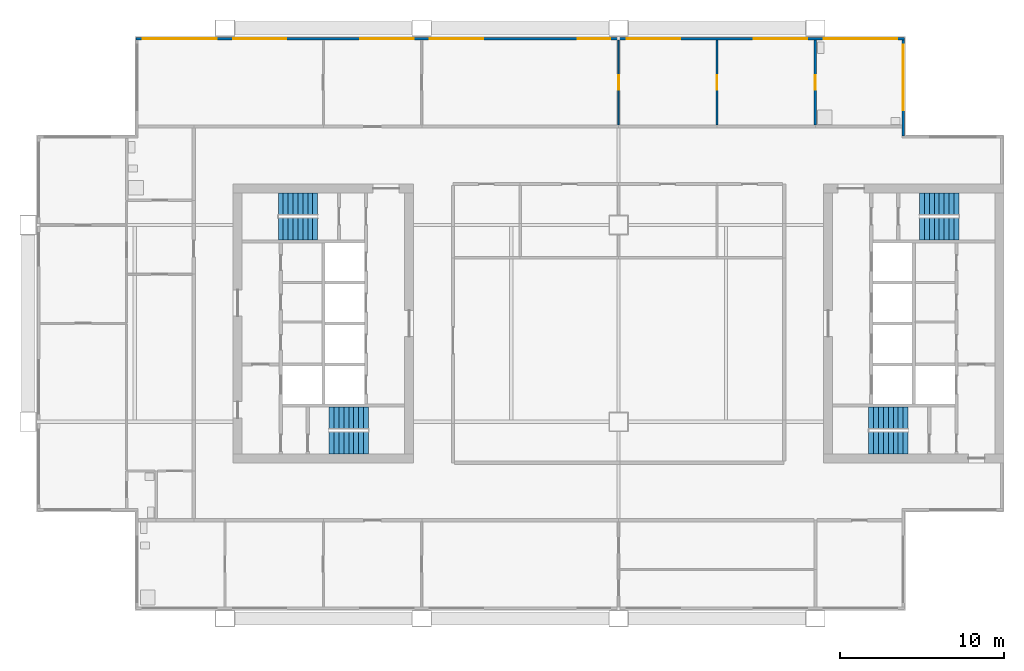
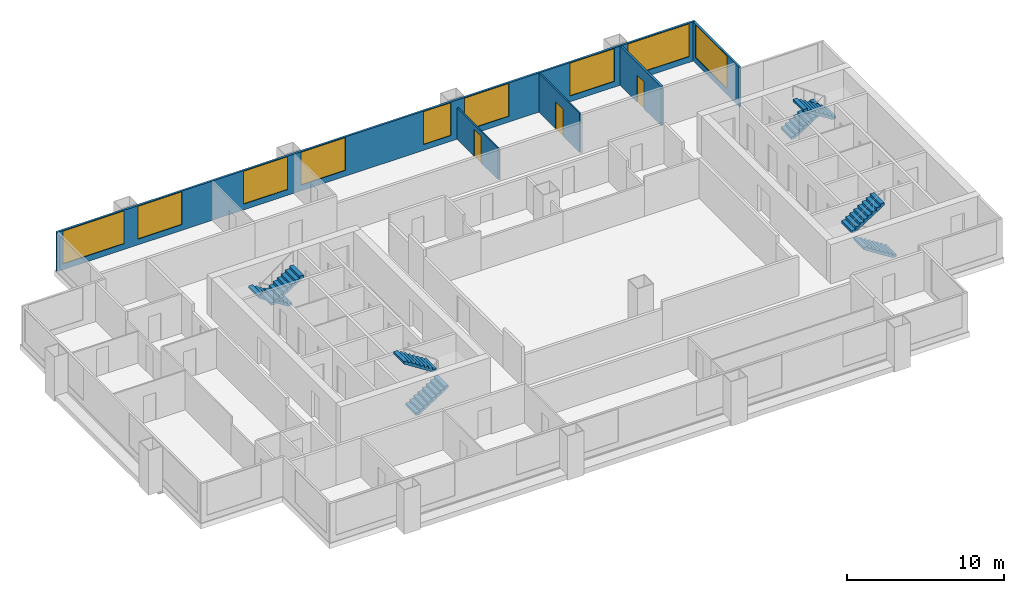
# One storey, part 6 of 8: 9 windows, 8 stair flights, 5 walls, 3 doors, 12 openings, 4 elements without a shape of their own.
"""IFC4 building model written with IfcOpenShell, lengths in metres."""

from ifc_helpers import new_model, si_unit, direction, frame, frame_2d, origin, place, context, subcontext, project, spatial, polyline, rectangle, outline, extrude, material, layer, layer_set, type_object, element, fill, aggregate, save


model = new_model("IFC4")

# Units and contexts
model_context = context("Model", 3, precision=1e-05, world=origin(), true_north=direction((0.0, 1.0)))
body_context = subcontext(model_context, "Body", "Model", "MODEL_VIEW")
ifc_project = project(units=[si_unit("LENGTHUNIT", "METRE"), si_unit("AREAUNIT", "SQUARE_METRE"), si_unit("VOLUMEUNIT", "CUBIC_METRE"), si_unit("PLANEANGLEUNIT", "RADIAN"), si_unit("MASSUNIT", "GRAM", prefix="KILO")], contexts=[model_context])

# Site, building, storey
site_placement = place(None, origin())
site = spatial("IfcSite", under=ifc_project, at=site_placement, CompositionType="ELEMENT")
building_placement = place(site_placement, origin())
building = spatial("IfcBuilding", under=site, at=building_placement, Name="Kitamizu Gate Tower and Museum", CompositionType="ELEMENT")
storey_placement = place(building_placement, frame((0.0, 0.0, 199.64990234375)))
storey = spatial("IfcBuildingStorey", under=building, at=storey_placement, Name="L53", CompositionType="ELEMENT", Elevation=199.64990234375)

# Wall, opening, door
ifc_material_1 = material(Name="Gypsum board on galvanised stud")
ifc_layer_1 = layer(ifc_material_1, 0.10009765625)
ifc_layer_set_1 = layer_set([ifc_layer_1], Name="Gypsum board on galvanised stud")
wall_type_1 = type_object("IfcWallType", Name="Partition 100 NOT RATED", PredefinedType="PARTITIONING", material=ifc_layer_set_1)
wall_1_placement = place(storey_placement, frame((36.0, 42.10009765625, 0.0), z_axis=(0.0, 0.0, 1.0), x_axis=(0.0, 1.0, 0.0)))
wall_1 = element("IfcWall", 1, at=wall_1_placement, inside=storey, type_object=wall_type_1, Name="Partition L53-022", PredefinedType="PARTITIONING", context=body_context, shape_type="SweptSolid", body=[
    extrude(rectangle(XDim=5.179931640625, YDim=0.10009765625, at=frame_2d((2.58984375, 0.0))), origin(), (0.0, 0.0, 1.0), 2.4501953125),
])
opening_1_placement = place(wall_1_placement, frame((2.139892578125, 0.0, 0.0)))
opening_1 = element("IfcOpeningElement", 2, at=opening_1_placement, cuts=wall_1, Name="Opening L53-009", PredefinedType="OPENING", context=body_context, shape_type="SweptSolid", body=[
    extrude(rectangle(XDim=0.89990234375, YDim=2.10009765625, at=frame_2d((0.449951171875, 1.050048828125))), frame((0.0, 0.06005859375, 0.0), z_axis=(0.0, -1.0, 0.0), x_axis=(1.0, 0.0, 0.0)), (0.0, 0.0, 1.0), 0.1201171875),
])
ifc_material_2 = material(Name="Timber door set", Category="wood")
door_type_1 = type_object("IfcDoorType", Name="Room door 900", OperationType="NOTDEFINED", PredefinedType="DOOR", material=ifc_material_2)
door_1_placement = place(opening_1_placement, frame((0.89990234375, 0.0, 0.0), x_axis=(-1.0, 0.0, 0.0)))
door_1 = element("IfcDoor", 3, at=door_1_placement, inside=storey, type_object=door_type_1, Name="Door L53-009", OperationType="SINGLE_SWING_LEFT", OverallHeight=2.10009765625, OverallWidth=0.89990234375, PredefinedType="DOOR", context=body_context, shape_type="SweptSolid", body=[
    extrude(rectangle(XDim=0.89990234375, YDim=2.10009765625, at=frame_2d((0.449951171875, 1.050048828125))), frame((0.0, 0.02490234375, 0.0), z_axis=(0.0, -1.0, 0.0), x_axis=(1.0, 0.0, 0.0)), (0.0, 0.0, 1.0), 0.050048828125),
])
fill(opening_1, door_1)

wall_2_placement = place(storey_placement, frame((42.0, 42.10009765625, 0.0), z_axis=(0.0, 0.0, 1.0), x_axis=(0.0, 1.0, 0.0)))
wall_2 = element("IfcWall", 4, at=wall_2_placement, inside=storey, type_object=wall_type_1, Name="Partition L53-024", PredefinedType="PARTITIONING", context=body_context, shape_type="SweptSolid", body=[
    extrude(rectangle(XDim=5.179931640625, YDim=0.10009765625, at=frame_2d((2.58984375, 0.0))), origin(), (0.0, 0.0, 1.0), 3.050048828125),
])
opening_2_placement = place(wall_2_placement, frame((2.139892578125, 0.0, 0.0)))
opening_2 = element("IfcOpeningElement", 5, at=opening_2_placement, cuts=wall_2, Name="Opening L53-011", PredefinedType="OPENING", context=body_context, shape_type="SweptSolid", body=[
    extrude(rectangle(XDim=0.89990234375, YDim=2.10009765625, at=frame_2d((0.449951171875, 1.050048828125))), frame((0.0, 0.06005859375, 0.0), z_axis=(0.0, -1.0, 0.0), x_axis=(1.0, 0.0, 0.0)), (0.0, 0.0, 1.0), 0.1201171875),
])
door_2_placement = place(opening_2_placement, origin())
door_2 = element("IfcDoor", 6, at=door_2_placement, inside=storey, type_object=door_type_1, Name="Door L53-011", OperationType="SINGLE_SWING_RIGHT", OverallHeight=2.10009765625, OverallWidth=0.89990234375, PredefinedType="DOOR", context=body_context, shape_type="SweptSolid", body=[
    extrude(rectangle(XDim=0.89990234375, YDim=2.10009765625, at=frame_2d((0.449951171875, 1.050048828125))), frame((0.0, 0.02490234375, 0.0), z_axis=(0.0, -1.0, 0.0), x_axis=(1.0, 0.0, 0.0)), (0.0, 0.0, 1.0), 0.050048828125),
])
fill(opening_2, door_2)

ifc_material_3 = material(Name="Gypsum board on galvanised stud")
ifc_layer_2 = layer(ifc_material_3, 0.14990234375)
ifc_layer_set_2 = layer_set([ifc_layer_2], Name="Gypsum board on galvanised stud")
wall_type_2 = type_object("IfcWallType", Name="Partition 150", PredefinedType="PARTITIONING", material=ifc_layer_set_2)
wall_3_placement = place(storey_placement, frame((48.0, 42.10009765625, 0.0), z_axis=(0.0, 0.0, 1.0), x_axis=(0.0, 1.0, 0.0)))
wall_3 = element("IfcWall", 7, at=wall_3_placement, inside=storey, type_object=wall_type_2, Name="Partition L53-026", PredefinedType="PARTITIONING", context=body_context, shape_type="SweptSolid", body=[
    extrude(rectangle(XDim=5.179931640625, YDim=0.14990234375, at=frame_2d((2.58984375, 0.0))), origin(), (0.0, 0.0, 1.0), 3.050048828125),
])
opening_3_placement = place(wall_3_placement, frame((2.139892578125, 0.0, 0.0)))
opening_3 = element("IfcOpeningElement", 8, at=opening_3_placement, cuts=wall_3, Name="Opening L53-012", PredefinedType="OPENING", context=body_context, shape_type="SweptSolid", body=[
    extrude(rectangle(XDim=0.89990234375, YDim=2.10009765625, at=frame_2d((0.449951171875, 1.050048828125))), frame((0.0, 0.0849609375, 0.0), z_axis=(0.0, -1.0, 0.0), x_axis=(1.0, 0.0, 0.0)), (0.0, 0.0, 1.0), 0.169921875),
])
ifc_material_4 = material(Name="Timber door set", Category="wood")
door_type_2 = type_object("IfcDoorType", Name="Bathroom door 900", OperationType="NOTDEFINED", PredefinedType="DOOR", material=ifc_material_4)
door_3_placement = place(opening_3_placement, frame((0.89990234375, 0.0, 0.0), x_axis=(-1.0, 0.0, 0.0)))
door_3 = element("IfcDoor", 9, at=door_3_placement, inside=storey, type_object=door_type_2, Name="Bathroom door L53-012", OperationType="SINGLE_SWING_RIGHT", OverallHeight=2.10009765625, OverallWidth=0.89990234375, PredefinedType="DOOR", context=body_context, shape_type="SweptSolid", body=[
    extrude(rectangle(XDim=0.89990234375, YDim=2.10009765625, at=frame_2d((0.449951171875, 1.050048828125))), frame((0.0, 0.02490234375, 0.0), z_axis=(0.0, -1.0, 0.0), x_axis=(1.0, 0.0, 0.0)), (0.0, 0.0, 1.0), 0.050048828125),
])
fill(opening_3, door_3)

# Wall, opening, window
ifc_material_5 = material(Name="Bronze anodised aluminium frame with insulated spandrel and tinted glass", Category="aluminium")
ifc_layer_3 = layer(ifc_material_5, 0.14990234375)
ifc_layer_set_3 = layer_set([ifc_layer_3], Name="Bronze anodised aluminium frame with insulated spandrel and tinted glass")
wall_type_3 = type_object("IfcWallType", Name="WINDOW WALL 150 BRONZE FRAME EI 30", PredefinedType="ELEMENTEDWALL", material=ifc_layer_set_3)
wall_4_placement = place(storey_placement, frame((53.364990234375, 41.43994140625, 0.0), z_axis=(0.0, 0.0, 1.0), x_axis=(0.0, 1.0, 0.0)))
wall_4 = element("IfcWall", 10, at=wall_4_placement, inside=storey, type_object=wall_type_3, Name="Window wall east L53", PredefinedType="ELEMENTEDWALL", context=body_context, shape_type="SweptSolid", body=[
    extrude(rectangle(XDim=5.85009765625, YDim=0.14990234375, at=frame_2d((2.925048828125, 0.0))), origin(), (0.0, 0.0, 1.0), 3.050048828125),
])
opening_4_placement = place(wall_4_placement, frame((1.56005859375, 0.0, 0.449951171875)))
opening_4 = element("IfcOpeningElement", 11, at=opening_4_placement, cuts=wall_4, Name="Opening W16", PredefinedType="OPENING", context=body_context, shape_type="SweptSolid", body=[
    extrude(rectangle(XDim=4.0, YDim=2.550048828125, at=frame_2d((2.0, 1.27490234375))), frame((0.0, 0.0849609375, 0.0), z_axis=(0.0, -1.0, 0.0), x_axis=(1.0, 0.0, 0.0)), (0.0, 0.0, 1.0), 0.169921875),
])
ifc_material_6 = material(Name="Bronze anodised aluminium frame, tinted triple glazing", Category="aluminium")
window_type_1 = type_object("IfcWindowType", Name="WINDOW 4000 x 2550 SILL 450", PartitioningType="SINGLE_PANEL", PredefinedType="WINDOW", material=ifc_material_6)
window_1_placement = place(opening_4_placement, origin())
window_1 = element("IfcWindow", 12, at=window_1_placement, inside=storey, type_object=window_type_1, Name="Window W16 L53", OverallHeight=2.550048828125, OverallWidth=4.0, PartitioningType="SINGLE_PANEL", PredefinedType="WINDOW", context=body_context, shape_type="SweptSolid", body=[
    extrude(rectangle(XDim=4.0, YDim=2.550048828125, at=frame_2d((2.0, 1.27490234375))), frame((0.0, 0.030029296875, 0.0), z_axis=(0.0, -1.0, 0.0), x_axis=(1.0, 0.0, 0.0)), (0.0, 0.0, 1.0), 0.06005859375),
])
fill(opening_4, window_1)

# Wall, openings, windows
wall_5_placement = place(storey_placement, frame((6.56005859375, 47.364990234375, 0.0), z_axis=(0.0, 0.0, 1.0), x_axis=(1.0, 0.0, 0.0)))
wall_5 = element("IfcWall", 13, at=wall_5_placement, inside=storey, type_object=wall_type_3, Name="Window wall north L53", PredefinedType="ELEMENTEDWALL", context=body_context, shape_type="SweptSolid", body=[
    extrude(rectangle(XDim=46.8798828125, YDim=0.14990234375, at=frame_2d((23.43994140625, 0.0))), origin(), (0.0, 0.0, 1.0), 3.050048828125),
])
opening_5_placement = place(wall_5_placement, frame((0.43994140625, 0.0, 0.449951171875)))
opening_5 = element("IfcOpeningElement", 14, at=opening_5_placement, cuts=wall_5, Name="Opening W15", PredefinedType="OPENING", context=body_context, shape_type="SweptSolid", body=[
    extrude(rectangle(XDim=4.5, YDim=2.550048828125, at=frame_2d((2.25, 1.27490234375))), frame((0.0, 0.0849609375, 0.0), z_axis=(0.0, -1.0, 0.0), x_axis=(1.0, 0.0, 0.0)), (0.0, 0.0, 1.0), 0.169921875),
])
opening_6_placement = place(wall_5_placement, frame((5.93994140625, 0.0, 0.449951171875)))
opening_6 = element("IfcOpeningElement", 15, at=opening_6_placement, cuts=wall_5, Name="Opening W34", PredefinedType="OPENING", context=body_context, shape_type="SweptSolid", body=[
    extrude(rectangle(XDim=3.25, YDim=2.550048828125, at=frame_2d((1.625, 1.27490234375))), frame((0.0, 0.0849609375, 0.0), z_axis=(0.0, -1.0, 0.0), x_axis=(1.0, 0.0, 0.0)), (0.0, 0.0, 1.0), 0.169921875),
])
opening_7_placement = place(wall_5_placement, frame((13.68994140625, 0.0, 0.449951171875)))
opening_7 = element("IfcOpeningElement", 16, at=opening_7_placement, cuts=wall_5, Name="Opening W34", PredefinedType="OPENING", context=body_context, shape_type="SweptSolid", body=[
    extrude(rectangle(XDim=3.25, YDim=2.550048828125, at=frame_2d((1.625, 1.27490234375))), frame((0.0, 0.0849609375, 0.0), z_axis=(0.0, -1.0, 0.0), x_axis=(1.0, 0.0, 0.0)), (0.0, 0.0, 1.0), 0.169921875),
])
opening_8_placement = place(wall_5_placement, frame((17.93994140625, 0.0, 0.449951171875)))
opening_8 = element("IfcOpeningElement", 17, at=opening_8_placement, cuts=wall_5, Name="Opening W34", PredefinedType="OPENING", context=body_context, shape_type="SweptSolid", body=[
    extrude(rectangle(XDim=3.25, YDim=2.550048828125, at=frame_2d((1.625, 1.27490234375))), frame((0.0, 0.0849609375, 0.0), z_axis=(0.0, -1.0, 0.0), x_axis=(1.0, 0.0, 0.0)), (0.0, 0.0, 1.0), 0.169921875),
])
opening_9_placement = place(wall_5_placement, frame((26.93994140625, 0.0, 0.449951171875)))
opening_9 = element("IfcOpeningElement", 18, at=opening_9_placement, cuts=wall_5, Name="Opening W2", PredefinedType="OPENING", context=body_context, shape_type="SweptSolid", body=[
    extrude(rectangle(XDim=2.0, YDim=2.550048828125, at=frame_2d((1.0, 1.27490234375))), frame((0.0, 0.0849609375, 0.0), z_axis=(0.0, -1.0, 0.0), x_axis=(1.0, 0.0, 0.0)), (0.0, 0.0, 1.0), 0.169921875),
])
opening_10_placement = place(wall_5_placement, frame((29.93994140625, 0.0, 0.449951171875)))
opening_10 = element("IfcOpeningElement", 19, at=opening_10_placement, cuts=wall_5, Name="Opening W34", PredefinedType="OPENING", context=body_context, shape_type="SweptSolid", body=[
    extrude(rectangle(XDim=3.25, YDim=2.550048828125, at=frame_2d((1.625, 1.27490234375))), frame((0.0, 0.0849609375, 0.0), z_axis=(0.0, -1.0, 0.0), x_axis=(1.0, 0.0, 0.0)), (0.0, 0.0, 1.0), 0.169921875),
])
opening_11_placement = place(wall_5_placement, frame((37.68994140625, 0.0, 0.449951171875)))
opening_11 = element("IfcOpeningElement", 20, at=opening_11_placement, cuts=wall_5, Name="Opening W34", PredefinedType="OPENING", context=body_context, shape_type="SweptSolid", body=[
    extrude(rectangle(XDim=3.25, YDim=2.550048828125, at=frame_2d((1.625, 1.27490234375))), frame((0.0, 0.0849609375, 0.0), z_axis=(0.0, -1.0, 0.0), x_axis=(1.0, 0.0, 0.0)), (0.0, 0.0, 1.0), 0.169921875),
])
opening_12_placement = place(wall_5_placement, frame((41.93994140625, 0.0, 0.449951171875)))
opening_12 = element("IfcOpeningElement", 21, at=opening_12_placement, cuts=wall_5, Name="Opening W15", PredefinedType="OPENING", context=body_context, shape_type="SweptSolid", body=[
    extrude(rectangle(XDim=4.5, YDim=2.550048828125, at=frame_2d((2.25, 1.27490234375))), frame((0.0, 0.0849609375, 0.0), z_axis=(0.0, -1.0, 0.0), x_axis=(1.0, 0.0, 0.0)), (0.0, 0.0, 1.0), 0.169921875),
])
ifc_material_7 = material(Name="Bronze anodised aluminium frame, tinted triple glazing", Category="aluminium")
window_type_2 = type_object("IfcWindowType", Name="WINDOW 2000 x 2550 SILL 450", PartitioningType="SINGLE_PANEL", PredefinedType="WINDOW", material=ifc_material_7)
window_2_placement = place(opening_9_placement, origin())
window_2 = element("IfcWindow", 22, at=window_2_placement, inside=storey, type_object=window_type_2, Name="Window W2 L53", OverallHeight=2.550048828125, OverallWidth=2.0, PartitioningType="SINGLE_PANEL", PredefinedType="WINDOW", context=body_context, shape_type="SweptSolid", body=[
    extrude(rectangle(XDim=2.0, YDim=2.550048828125, at=frame_2d((1.0, 1.27490234375))), frame((0.0, 0.030029296875, 0.0), z_axis=(0.0, -1.0, 0.0), x_axis=(1.0, 0.0, 0.0)), (0.0, 0.0, 1.0), 0.06005859375),
])
fill(opening_9, window_2)
ifc_material_8 = material(Name="Bronze anodised aluminium frame, tinted triple glazing", Category="aluminium")
window_type_3 = type_object("IfcWindowType", Name="WINDOW 3250 x 2550 SILL 450", PartitioningType="SINGLE_PANEL", PredefinedType="WINDOW", material=ifc_material_8)
window_3_placement = place(opening_6_placement, origin())
window_3 = element("IfcWindow", 23, at=window_3_placement, inside=storey, type_object=window_type_3, Name="Window W34 L53", OverallHeight=2.550048828125, OverallWidth=3.25, PartitioningType="SINGLE_PANEL", PredefinedType="WINDOW", context=body_context, shape_type="SweptSolid", body=[
    extrude(rectangle(XDim=3.25, YDim=2.550048828125, at=frame_2d((1.625, 1.27490234375))), frame((0.0, 0.030029296875, 0.0), z_axis=(0.0, -1.0, 0.0), x_axis=(1.0, 0.0, 0.0)), (0.0, 0.0, 1.0), 0.06005859375),
])
fill(opening_6, window_3)
window_4_placement = place(opening_7_placement, origin())
window_4 = element("IfcWindow", 24, at=window_4_placement, inside=storey, type_object=window_type_3, Name="Window W34 L53", OverallHeight=2.550048828125, OverallWidth=3.25, PartitioningType="SINGLE_PANEL", PredefinedType="WINDOW", context=body_context, shape_type="SweptSolid", body=[
    extrude(rectangle(XDim=3.25, YDim=2.550048828125, at=frame_2d((1.625, 1.27490234375))), frame((0.0, 0.030029296875, 0.0), z_axis=(0.0, -1.0, 0.0), x_axis=(1.0, 0.0, 0.0)), (0.0, 0.0, 1.0), 0.06005859375),
])
fill(opening_7, window_4)
window_5_placement = place(opening_8_placement, origin())
window_5 = element("IfcWindow", 25, at=window_5_placement, inside=storey, type_object=window_type_3, Name="Window W34 L53", OverallHeight=2.550048828125, OverallWidth=3.25, PartitioningType="SINGLE_PANEL", PredefinedType="WINDOW", context=body_context, shape_type="SweptSolid", body=[
    extrude(rectangle(XDim=3.25, YDim=2.550048828125, at=frame_2d((1.625, 1.27490234375))), frame((0.0, 0.030029296875, 0.0), z_axis=(0.0, -1.0, 0.0), x_axis=(1.0, 0.0, 0.0)), (0.0, 0.0, 1.0), 0.06005859375),
])
fill(opening_8, window_5)
window_6_placement = place(opening_10_placement, origin())
window_6 = element("IfcWindow", 26, at=window_6_placement, inside=storey, type_object=window_type_3, Name="Window W34 L53", OverallHeight=2.550048828125, OverallWidth=3.25, PartitioningType="SINGLE_PANEL", PredefinedType="WINDOW", context=body_context, shape_type="SweptSolid", body=[
    extrude(rectangle(XDim=3.25, YDim=2.550048828125, at=frame_2d((1.625, 1.27490234375))), frame((0.0, 0.030029296875, 0.0), z_axis=(0.0, -1.0, 0.0), x_axis=(1.0, 0.0, 0.0)), (0.0, 0.0, 1.0), 0.06005859375),
])
fill(opening_10, window_6)
window_7_placement = place(opening_11_placement, origin())
window_7 = element("IfcWindow", 27, at=window_7_placement, inside=storey, type_object=window_type_3, Name="Window W34 L53", OverallHeight=2.550048828125, OverallWidth=3.25, PartitioningType="SINGLE_PANEL", PredefinedType="WINDOW", context=body_context, shape_type="SweptSolid", body=[
    extrude(rectangle(XDim=3.25, YDim=2.550048828125, at=frame_2d((1.625, 1.27490234375))), frame((0.0, 0.030029296875, 0.0), z_axis=(0.0, -1.0, 0.0), x_axis=(1.0, 0.0, 0.0)), (0.0, 0.0, 1.0), 0.06005859375),
])
fill(opening_11, window_7)
ifc_material_9 = material(Name="Bronze anodised aluminium frame, tinted triple glazing", Category="aluminium")
window_type_4 = type_object("IfcWindowType", Name="WINDOW 4500 x 2550 SILL 450", PartitioningType="SINGLE_PANEL", PredefinedType="WINDOW", material=ifc_material_9)
window_8_placement = place(opening_5_placement, origin())
window_8 = element("IfcWindow", 28, at=window_8_placement, inside=storey, type_object=window_type_4, Name="Window W15 L53", OverallHeight=2.550048828125, OverallWidth=4.5, PartitioningType="SINGLE_PANEL", PredefinedType="WINDOW", context=body_context, shape_type="SweptSolid", body=[
    extrude(rectangle(XDim=4.5, YDim=2.550048828125, at=frame_2d((2.25, 1.27490234375))), frame((0.0, 0.030029296875, 0.0), z_axis=(0.0, -1.0, 0.0), x_axis=(1.0, 0.0, 0.0)), (0.0, 0.0, 1.0), 0.06005859375),
])
fill(opening_5, window_8)
window_9_placement = place(opening_12_placement, origin())
window_9 = element("IfcWindow", 29, at=window_9_placement, inside=storey, type_object=window_type_4, Name="Window W15 L53", OverallHeight=2.550048828125, OverallWidth=4.5, PartitioningType="SINGLE_PANEL", PredefinedType="WINDOW", context=body_context, shape_type="SweptSolid", body=[
    extrude(rectangle(XDim=4.5, YDim=2.550048828125, at=frame_2d((2.25, 1.27490234375))), frame((0.0, 0.030029296875, 0.0), z_axis=(0.0, -1.0, 0.0), x_axis=(1.0, 0.0, 0.0)), (0.0, 0.0, 1.0), 0.06005859375),
])
fill(opening_12, window_9)

# Stair, stair flights
ifc_material_10 = material(Name="Concrete Fc42", Category="concrete")
stair_type = type_object("IfcStairType", Name="Exit stair 1325 wide 192 rise 300 going", PredefinedType="HALF_TURN_STAIR", material=ifc_material_10)
stair_1_placement = place(storey_placement, origin())
stair_1 = element("IfcStair", 30, at=stair_1_placement, inside=storey, type_object=stair_type, Name="Exit stair ST1", PredefinedType="HALF_TURN_STAIR")
ifc_material_11 = material(Name="Concrete Fc42", Category="concrete")
stair_flight_type = type_object("IfcStairFlightType", Name="Stair flight 1325 wide 192 rise 300 going", PredefinedType="STRAIGHT", material=ifc_material_11)
stair_flight_1_placement = place(storey_placement, frame((18.35009765625, 22.71240234375, 0.0), z_axis=(0.0, 0.0, 1.0), x_axis=(1.0, 0.0, 0.0)))
stair_flight_1 = element("IfcStairFlight", 31, at=stair_flight_1_placement, type_object=stair_flight_type, Name="ST1 flight 1", NumberOfRisers=9, NumberOfTreads=8, PredefinedType="STRAIGHT", RiserHeight=0.191666667, TreadLength=0.3, context=body_context, shape_type="SweptSolid", body=[
    extrude(outline(polyline([(0.0, 0.0), (0.0, 0.191650390625), (0.300048828125, 0.191650390625), (0.300048828125, 0.38330078125), (0.60009765625, 0.38330078125), (0.60009765625, 0.574951171875), (0.89990234375, 0.574951171875), (0.89990234375, 0.7666015625), (1.199951171875, 0.7666015625), (1.199951171875, 0.958251953125), (1.5, 0.958251953125), (1.5, 1.14990234375), (1.800048828125, 1.14990234375), (1.800048828125, 1.341552734375), (2.10009765625, 1.341552734375), (2.10009765625, 1.533447265625), (2.39990234375, 1.533447265625), (2.39990234375, 1.72509765625), (2.39990234375, 1.35546875), (0.2783203125, 0.0), (0.0, 0.0)])), frame((0.0, 0.66259765625, 0.0), z_axis=(0.0, -1.0, 0.0), x_axis=(1.0, 0.0, 0.0)), (0.0, 0.0, 1.0), 1.324951171875),
])
stair_flight_2_placement = place(storey_placement, frame((20.75, 24.237548828125, 1.72509765625), z_axis=(0.0, 0.0, 1.0), x_axis=(-1.0, 0.0, 0.0)))
stair_flight_2 = element("IfcStairFlight", 32, at=stair_flight_2_placement, type_object=stair_flight_type, Name="ST1 flight 2", NumberOfRisers=9, NumberOfTreads=8, PredefinedType="STRAIGHT", RiserHeight=0.191666667, TreadLength=0.3, context=body_context, shape_type="SweptSolid", body=[
    extrude(outline(polyline([(0.0, 0.0), (0.0, 0.191650390625), (0.300048828125, 0.191650390625), (0.300048828125, 0.38330078125), (0.60009765625, 0.38330078125), (0.60009765625, 0.574951171875), (0.89990234375, 0.574951171875), (0.89990234375, 0.7666015625), (1.199951171875, 0.7666015625), (1.199951171875, 0.958251953125), (1.5, 0.958251953125), (1.5, 1.14990234375), (1.800048828125, 1.14990234375), (1.800048828125, 1.341552734375), (2.10009765625, 1.341552734375), (2.10009765625, 1.533447265625), (2.39990234375, 1.533447265625), (2.39990234375, 1.72509765625), (2.39990234375, 1.35546875), (0.2783203125, 0.0), (0.0, 0.0)])), frame((0.0, 0.66259765625, 0.0), z_axis=(0.0, -1.0, 0.0), x_axis=(1.0, 0.0, 0.0)), (0.0, 0.0, 1.0), 1.324951171875),
])
aggregate(stair_1, [stair_flight_1, stair_flight_2])

stair_2_placement = place(storey_placement, origin())
stair_2 = element("IfcStair", 33, at=stair_2_placement, inside=storey, type_object=stair_type, Name="Exit stair ST2", PredefinedType="HALF_TURN_STAIR")
stair_flight_3_placement = place(storey_placement, frame((17.64990234375, 37.28759765625, 0.0), z_axis=(0.0, 0.0, 1.0), x_axis=(-1.0, 0.0, 0.0)))
stair_flight_3 = element("IfcStairFlight", 34, at=stair_flight_3_placement, type_object=stair_flight_type, Name="ST2 flight 1", NumberOfRisers=9, NumberOfTreads=8, PredefinedType="STRAIGHT", RiserHeight=0.191666667, TreadLength=0.3, context=body_context, shape_type="SweptSolid", body=[
    extrude(outline(polyline([(0.0, 0.0), (0.0, 0.191650390625), (0.300048828125, 0.191650390625), (0.300048828125, 0.38330078125), (0.60009765625, 0.38330078125), (0.60009765625, 0.574951171875), (0.89990234375, 0.574951171875), (0.89990234375, 0.7666015625), (1.199951171875, 0.7666015625), (1.199951171875, 0.958251953125), (1.5, 0.958251953125), (1.5, 1.14990234375), (1.800048828125, 1.14990234375), (1.800048828125, 1.341552734375), (2.10009765625, 1.341552734375), (2.10009765625, 1.533447265625), (2.39990234375, 1.533447265625), (2.39990234375, 1.72509765625), (2.39990234375, 1.35546875), (0.2783203125, 0.0), (0.0, 0.0)])), frame((0.0, 0.66259765625, 0.0), z_axis=(0.0, -1.0, 0.0), x_axis=(1.0, 0.0, 0.0)), (0.0, 0.0, 1.0), 1.324951171875),
])
stair_flight_4_placement = place(storey_placement, frame((15.25, 35.762451171875, 1.72509765625), z_axis=(0.0, 0.0, 1.0), x_axis=(1.0, 0.0, 0.0)))
stair_flight_4 = element("IfcStairFlight", 35, at=stair_flight_4_placement, type_object=stair_flight_type, Name="ST2 flight 2", NumberOfRisers=9, NumberOfTreads=8, PredefinedType="STRAIGHT", RiserHeight=0.191666667, TreadLength=0.3, context=body_context, shape_type="SweptSolid", body=[
    extrude(outline(polyline([(0.0, 0.0), (0.0, 0.191650390625), (0.300048828125, 0.191650390625), (0.300048828125, 0.38330078125), (0.60009765625, 0.38330078125), (0.60009765625, 0.574951171875), (0.89990234375, 0.574951171875), (0.89990234375, 0.7666015625), (1.199951171875, 0.7666015625), (1.199951171875, 0.958251953125), (1.5, 0.958251953125), (1.5, 1.14990234375), (1.800048828125, 1.14990234375), (1.800048828125, 1.341552734375), (2.10009765625, 1.341552734375), (2.10009765625, 1.533447265625), (2.39990234375, 1.533447265625), (2.39990234375, 1.72509765625), (2.39990234375, 1.35546875), (0.2783203125, 0.0), (0.0, 0.0)])), frame((0.0, 0.66259765625, 0.0), z_axis=(0.0, -1.0, 0.0), x_axis=(1.0, 0.0, 0.0)), (0.0, 0.0, 1.0), 1.324951171875),
])
aggregate(stair_2, [stair_flight_3, stair_flight_4])

stair_3_placement = place(storey_placement, origin())
stair_3 = element("IfcStair", 36, at=stair_3_placement, inside=storey, type_object=stair_type, Name="Exit stair ST3", PredefinedType="HALF_TURN_STAIR")
stair_flight_5_placement = place(storey_placement, frame((53.64990234375, 22.71240234375, 0.0), z_axis=(0.0, 0.0, 1.0), x_axis=(-1.0, 0.0, 0.0)))
stair_flight_5 = element("IfcStairFlight", 37, at=stair_flight_5_placement, type_object=stair_flight_type, Name="ST3 flight 1", NumberOfRisers=9, NumberOfTreads=8, PredefinedType="STRAIGHT", RiserHeight=0.191666667, TreadLength=0.3, context=body_context, shape_type="SweptSolid", body=[
    extrude(outline(polyline([(0.0, 0.0), (0.0, 0.191650390625), (0.300048828125, 0.191650390625), (0.300048828125, 0.38330078125), (0.60009765625, 0.38330078125), (0.60009765625, 0.574951171875), (0.89990234375, 0.574951171875), (0.89990234375, 0.7666015625), (1.199951171875, 0.7666015625), (1.199951171875, 0.958251953125), (1.5, 0.958251953125), (1.5, 1.14990234375), (1.800048828125, 1.14990234375), (1.800048828125, 1.341552734375), (2.10009765625, 1.341552734375), (2.10009765625, 1.533447265625), (2.39990234375, 1.533447265625), (2.39990234375, 1.72509765625), (2.39990234375, 1.35546875), (0.2783203125, 0.0), (0.0, 0.0)])), frame((0.0, 0.66259765625, 0.0), z_axis=(0.0, -1.0, 0.0), x_axis=(1.0, 0.0, 0.0)), (0.0, 0.0, 1.0), 1.324951171875),
])
stair_flight_6_placement = place(storey_placement, frame((51.25, 24.237548828125, 1.72509765625), z_axis=(0.0, 0.0, 1.0), x_axis=(1.0, 0.0, 0.0)))
stair_flight_6 = element("IfcStairFlight", 38, at=stair_flight_6_placement, type_object=stair_flight_type, Name="ST3 flight 2", NumberOfRisers=9, NumberOfTreads=8, PredefinedType="STRAIGHT", RiserHeight=0.191666667, TreadLength=0.3, context=body_context, shape_type="SweptSolid", body=[
    extrude(outline(polyline([(0.0, 0.0), (0.0, 0.191650390625), (0.300048828125, 0.191650390625), (0.300048828125, 0.38330078125), (0.60009765625, 0.38330078125), (0.60009765625, 0.574951171875), (0.89990234375, 0.574951171875), (0.89990234375, 0.7666015625), (1.199951171875, 0.7666015625), (1.199951171875, 0.958251953125), (1.5, 0.958251953125), (1.5, 1.14990234375), (1.800048828125, 1.14990234375), (1.800048828125, 1.341552734375), (2.10009765625, 1.341552734375), (2.10009765625, 1.533447265625), (2.39990234375, 1.533447265625), (2.39990234375, 1.72509765625), (2.39990234375, 1.35546875), (0.2783203125, 0.0), (0.0, 0.0)])), frame((0.0, 0.66259765625, 0.0), z_axis=(0.0, -1.0, 0.0), x_axis=(1.0, 0.0, 0.0)), (0.0, 0.0, 1.0), 1.324951171875),
])
aggregate(stair_3, [stair_flight_5, stair_flight_6])

stair_4_placement = place(storey_placement, origin())
stair_4 = element("IfcStair", 39, at=stair_4_placement, inside=storey, type_object=stair_type, Name="Exit stair ST4", PredefinedType="HALF_TURN_STAIR")
stair_flight_7_placement = place(storey_placement, frame((54.35009765625, 37.28759765625, 0.0), z_axis=(0.0, 0.0, 1.0), x_axis=(1.0, 0.0, 0.0)))
stair_flight_7 = element("IfcStairFlight", 40, at=stair_flight_7_placement, type_object=stair_flight_type, Name="ST4 flight 1", NumberOfRisers=9, NumberOfTreads=8, PredefinedType="STRAIGHT", RiserHeight=0.191666667, TreadLength=0.3, context=body_context, shape_type="SweptSolid", body=[
    extrude(outline(polyline([(0.0, 0.0), (0.0, 0.191650390625), (0.300048828125, 0.191650390625), (0.300048828125, 0.38330078125), (0.60009765625, 0.38330078125), (0.60009765625, 0.574951171875), (0.89990234375, 0.574951171875), (0.89990234375, 0.7666015625), (1.199951171875, 0.7666015625), (1.199951171875, 0.958251953125), (1.5, 0.958251953125), (1.5, 1.14990234375), (1.800048828125, 1.14990234375), (1.800048828125, 1.341552734375), (2.10009765625, 1.341552734375), (2.10009765625, 1.533447265625), (2.39990234375, 1.533447265625), (2.39990234375, 1.72509765625), (2.39990234375, 1.35546875), (0.2783203125, 0.0), (0.0, 0.0)])), frame((0.0, 0.66259765625, 0.0), z_axis=(0.0, -1.0, 0.0), x_axis=(1.0, 0.0, 0.0)), (0.0, 0.0, 1.0), 1.324951171875),
])
stair_flight_8_placement = place(storey_placement, frame((56.75, 35.762451171875, 1.72509765625), z_axis=(0.0, 0.0, 1.0), x_axis=(-1.0, 0.0, 0.0)))
stair_flight_8 = element("IfcStairFlight", 41, at=stair_flight_8_placement, type_object=stair_flight_type, Name="ST4 flight 2", NumberOfRisers=9, NumberOfTreads=8, PredefinedType="STRAIGHT", RiserHeight=0.191666667, TreadLength=0.3, context=body_context, shape_type="SweptSolid", body=[
    extrude(outline(polyline([(0.0, 0.0), (0.0, 0.191650390625), (0.300048828125, 0.191650390625), (0.300048828125, 0.38330078125), (0.60009765625, 0.38330078125), (0.60009765625, 0.574951171875), (0.89990234375, 0.574951171875), (0.89990234375, 0.7666015625), (1.199951171875, 0.7666015625), (1.199951171875, 0.958251953125), (1.5, 0.958251953125), (1.5, 1.14990234375), (1.800048828125, 1.14990234375), (1.800048828125, 1.341552734375), (2.10009765625, 1.341552734375), (2.10009765625, 1.533447265625), (2.39990234375, 1.533447265625), (2.39990234375, 1.72509765625), (2.39990234375, 1.35546875), (0.2783203125, 0.0), (0.0, 0.0)])), frame((0.0, 0.66259765625, 0.0), z_axis=(0.0, -1.0, 0.0), x_axis=(1.0, 0.0, 0.0)), (0.0, 0.0, 1.0), 1.324951171875),
])
aggregate(stair_4, [stair_flight_7, stair_flight_8])

save(model, "model.ifc")
